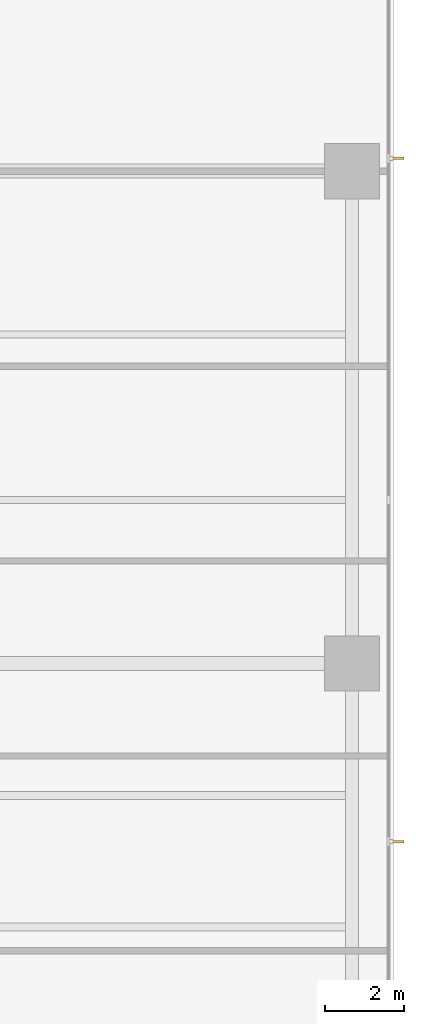
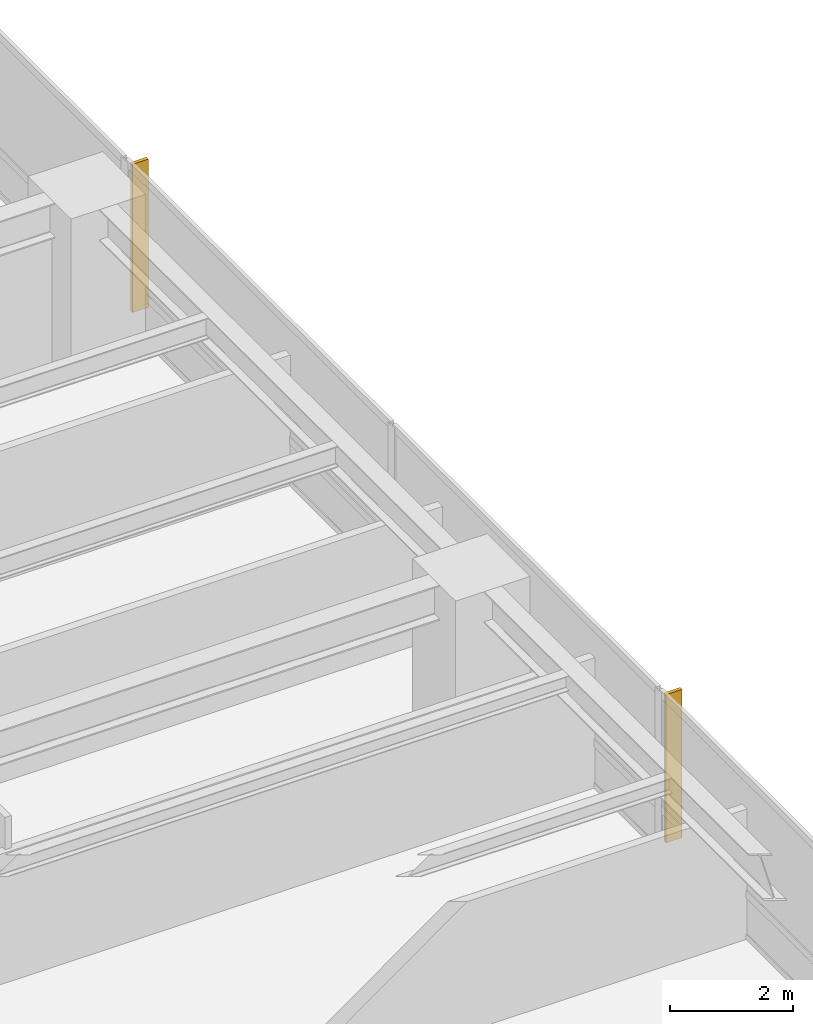
# One storey, part 16 of 17: 2 shading devices.
"""IFC4 building model written with IfcOpenShell, lengths in metres."""

from ifc_helpers import new_model, si_unit, direction, frame, origin, place, context, subcontext, project, spatial, polyline, outline, extrude, material, layer, layer_set, type_object, element, save


model = new_model("IFC4")

# Units and contexts
model_context = context("Model", 3, precision=1e-05, world=origin(), true_north=direction((0.0, 1.0)))
body_context = subcontext(model_context, "Body", "Model", "MODEL_VIEW")
ifc_project = project(units=[si_unit("LENGTHUNIT", "METRE"), si_unit("AREAUNIT", "SQUARE_METRE"), si_unit("VOLUMEUNIT", "CUBIC_METRE"), si_unit("PLANEANGLEUNIT", "RADIAN"), si_unit("MASSUNIT", "GRAM", prefix="KILO")], contexts=[model_context])

# Site, building, storey
site_placement = place(None, origin())
site = spatial("IfcSite", under=ifc_project, at=site_placement, CompositionType="ELEMENT")
building_placement = place(site_placement, origin())
building = spatial("IfcBuilding", under=site, at=building_placement, Name="Qalmaran Belvedere Hotel", CompositionType="ELEMENT")
storey_placement = place(building_placement, frame((0.0, 0.0, 40.39990234375)))
storey = spatial("IfcBuildingStorey", under=building, at=storey_placement, Name="L09", CompositionType="ELEMENT", Elevation=40.39990234375)

# Shading devices
ifc_material = material(Name="Anodised Bronze Aluminium", Category="aluminium")
ifc_layer = layer(ifc_material, 0.06494140625, Name="Anodised Bronze Aluminium")
ifc_layer_set = layer_set([ifc_layer], Name="Anodised Bronze Aluminium")
shading_device_type = type_object("IfcShadingDeviceType", Name="FIN-BRNZ-300", PredefinedType="USERDEFINED", material=ifc_layer_set)
shading_device_1_placement = place(storey_placement, frame((0.0, 0.0, 0.16015625)))
element("IfcShadingDevice", 1, at=shading_device_1_placement, inside=storey, type_object=shading_device_type, Name="L09 Bronze Fin 1", ObjectType="FIN", PredefinedType="USERDEFINED", context=body_context, shape_type="SweptSolid", body=[
    extrude(outline(polyline([(61.7724609375, 15.9423828125), (62.072509765625, 15.9423828125), (62.072509765625, 16.007568359375), (61.7724609375, 16.007568359375), (61.7724609375, 15.9423828125)])), origin(), (0.0, 0.0, 1.0), 2.93994140625),
])
shading_device_2_placement = place(storey_placement, frame((0.0, 0.0, 0.16015625)))
element("IfcShadingDevice", 2, at=shading_device_2_placement, inside=storey, type_object=shading_device_type, Name="L09 Bronze Fin 3", ObjectType="FIN", PredefinedType="USERDEFINED", context=body_context, shape_type="SweptSolid", body=[
    extrude(outline(polyline([(61.7724609375, 33.29248046875), (62.072509765625, 33.29248046875), (62.072509765625, 33.357421875), (61.7724609375, 33.357421875), (61.7724609375, 33.29248046875)])), origin(), (0.0, 0.0, 1.0), 2.93994140625),
])

save(model, "model.ifc")
